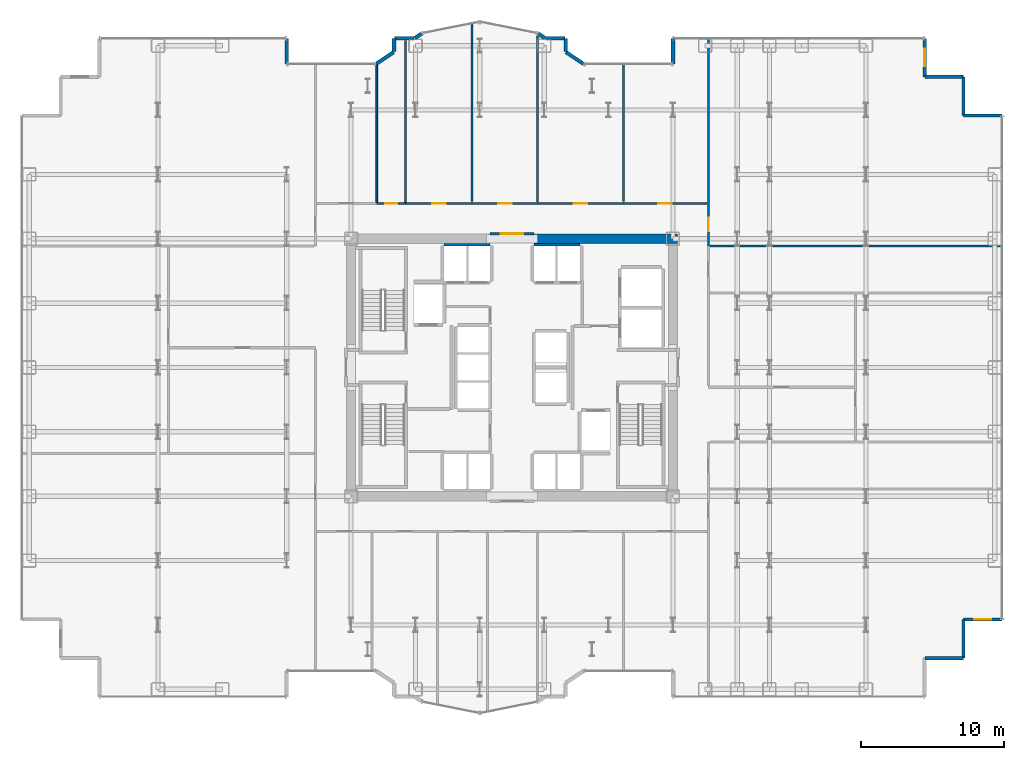
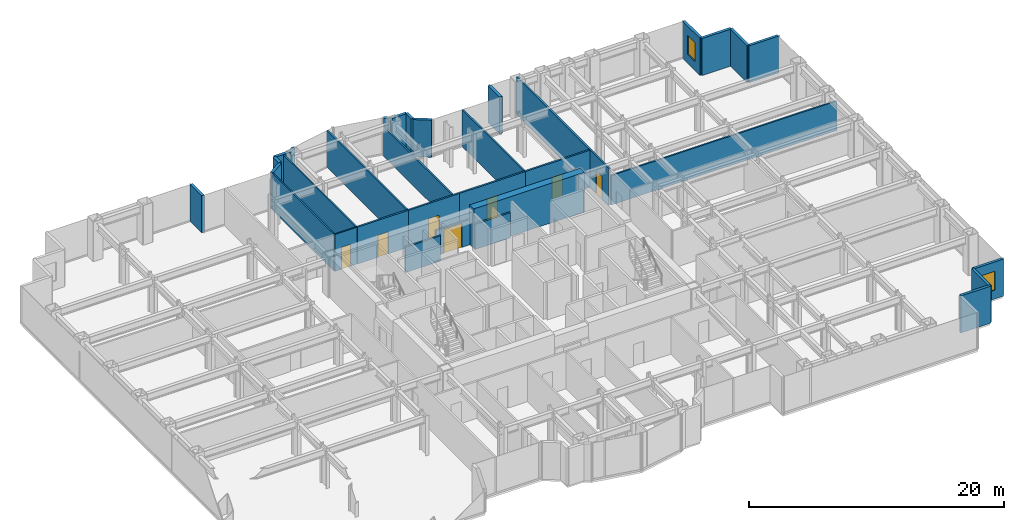
# One storey, part 24 of 26: 33 walls, 7 doors, 2 windows, 9 openings.
"""IFC4 building model written with IfcOpenShell, lengths in metres."""

from ifc_helpers import new_model, si_unit, direction, frame, frame_2d, origin, place, context, subcontext, project, spatial, rectangle, extrude, source, transform, mapped, material, layer, layer_set, type_object, element, fill, save


model = new_model("IFC4")

# Units and contexts
model_context = context("Model", 3, precision=1e-05, world=origin(), true_north=direction((0.0, 1.0)))
body_context = subcontext(model_context, "Body", "Model", "MODEL_VIEW")
ifc_project = project(units=[si_unit("LENGTHUNIT", "METRE"), si_unit("AREAUNIT", "SQUARE_METRE"), si_unit("VOLUMEUNIT", "CUBIC_METRE"), si_unit("PLANEANGLEUNIT", "RADIAN"), si_unit("MASSUNIT", "GRAM", prefix="KILO")], contexts=[model_context])

# Site, building, storey
site_placement = place(None, origin())
site = spatial("IfcSite", under=ifc_project, at=site_placement, CompositionType="ELEMENT")
building_placement = place(site_placement, origin())
building = spatial("IfcBuilding", under=site, at=building_placement, Name="Nefas-Gora Pilgrimage Tower", CompositionType="ELEMENT")
storey_placement = place(building_placement, frame((0.0, 0.0, 63.39990234375)))
storey = spatial("IfcBuildingStorey", under=building, at=storey_placement, Name="L14", CompositionType="ELEMENT", Elevation=63.39990234375)

# Walls
ifc_material_1 = material(Name="Concrete C60/75", Category="concrete")
ifc_layer_1 = layer(ifc_material_1, 0.64990234375)
ifc_layer_set_1 = layer_set([ifc_layer_1], Name="Concrete C60/75")
wall_type_1 = type_object("IfcWallType", Name="SW-CORE-650", PredefinedType="SHEAR", material=ifc_layer_set_1)
shared_shape_1 = source(origin(), body_context, "Body", "SweptSolid", [
    extrude(rectangle(XDim=10.02490234375, YDim=0.64990234375, at=frame_2d((5.012451171875, 0.0))), origin(), (0.0, 0.0, 1.0), 3.800048828125),
])
wall_1_placement = place(storey_placement, frame((1.550048828125, 9.0, 0.0), z_axis=(0.0, 0.0, 1.0), x_axis=(1.0, 0.0, 0.0)))
element("IfcWall", 1, at=wall_1_placement, inside=storey, type_object=wall_type_1, Name="L14 Core Shear Wall N-East", PredefinedType="SHEAR", context=body_context, shape_type="MappedRepresentation", body=[
    mapped(shared_shape_1, transform((0.0, 0.0, 0.0), x_axis=(1.0, 0.0, 0.0), y_axis=(0.0, 1.0, 0.0), z_axis=(0.0, 0.0, 1.0), scale=1.0)),
])
ifc_material_2 = material(Name="Precast concrete C40/50", Category="concrete")
ifc_layer_2 = layer(ifc_material_2, 0.260009765625)
ifc_layer_set_2 = layer_set([ifc_layer_2], Name="Precast concrete C40/50")
wall_type_2 = type_object("IfcWallType", Name="EW-PORTAL-260", PredefinedType="SOLIDWALL", material=ifc_layer_set_2)
shared_shape_2 = source(origin(), body_context, "Body", "SweptSolid", [
    extrude(rectangle(XDim=1.800048828125, YDim=0.260009765625, at=frame_2d((0.89990234375, 0.0))), origin(), (0.0, 0.0, 1.0), 3.550048828125),
])
for number, where, z_axis, x_axis, name in (
    (2, (11.25, 23.02001953125, 0.0), (0.0, 0.0, 1.0), (0.0, -1.0, 0.0), "L14 Lobe Shoulder Precast Spandrel Pier 10"),
    (3, (-15.75, 21.219970703125, 0.0), (0.0, 0.0, 1.0), (0.0, 1.0, 0.0), "L14 Lobe Shoulder Precast Spandrel Pier 19"),
):
    element("IfcWall", number, at=place(storey_placement, frame(where, z_axis=z_axis, x_axis=x_axis)), inside=storey, type_object=wall_type_2, Name=name, PredefinedType="SOLIDWALL", context=body_context, shape_type="MappedRepresentation", body=[
        mapped(shared_shape_2, transform((0.0, 0.0, 0.0), x_axis=(1.0, 0.0, 0.0), y_axis=(0.0, 1.0, 0.0), z_axis=(0.0, 0.0, 1.0), scale=1.0)),
    ])
ifc_material_3 = material(Name="Precast concrete C45/55", Category="concrete")
ifc_layer_3 = layer(ifc_material_3, 0.239990234375)
ifc_layer_set_3 = layer_set([ifc_layer_3], Name="Precast concrete C45/55")
wall_type_3 = type_object("IfcWallType", Name="EW-SERR-240", PredefinedType="SHEAR", material=ifc_layer_set_3)
shared_shape_3 = source(origin(), body_context, "Body", "SweptSolid", [
    extrude(rectangle(XDim=2.699951171875, YDim=0.239990234375, at=frame_2d((1.35009765625, 0.0))), origin(), (0.0, 0.0, 1.0), 3.550048828125),
])
for number, where, z_axis, x_axis, name in (
    (4, (28.8701171875, -20.320068359375, 0.0), (0.0, 0.0, 1.0), (1.0, 0.0, 0.0), "L14 Serrated Corner Shear Pier Wall 3"),
    (5, (31.570068359375, -20.320068359375, 0.0), (0.0, 0.0, 1.0), (0.0, 1.0, 0.0), "L14 Serrated Corner Shear Pier Wall 4"),
):
    element("IfcWall", number, at=place(storey_placement, frame(where, z_axis=z_axis, x_axis=x_axis)), inside=storey, type_object=wall_type_3, Name=name, PredefinedType="SHEAR", context=body_context, shape_type="MappedRepresentation", body=[
        mapped(shared_shape_3, transform((0.0, 0.0, 0.0), x_axis=(1.0, 0.0, 0.0), y_axis=(0.0, 1.0, 0.0), z_axis=(0.0, 0.0, 1.0), scale=1.0)),
    ])

# Wall, opening, window
wall_2_placement = place(storey_placement, frame((31.570068359375, -17.6201171875, 0.0), z_axis=(0.0, 0.0, 1.0), x_axis=(1.0, 0.0, 0.0)))
wall_2 = element("IfcWall", 6, at=wall_2_placement, inside=storey, type_object=wall_type_3, Name="L14 Serrated Corner Shear Pier Wall 5", PredefinedType="SHEAR", context=body_context, shape_type="MappedRepresentation", body=[
    mapped(shared_shape_3, transform((0.0, 0.0, 0.0), x_axis=(1.0, 0.0, 0.0), y_axis=(0.0, 1.0, 0.0), z_axis=(0.0, 0.0, 1.0), scale=1.0)),
])
opening_1_placement = place(wall_2_placement, frame((0.75, 0.0, 0.85009765625)))
opening_1 = element("IfcOpeningElement", 7, at=opening_1_placement, cuts=wall_2, Name="Opening W-V1", PredefinedType="OPENING", context=body_context, shape_type="SweptSolid", body=[
    extrude(rectangle(XDim=1.199951171875, YDim=1.800048828125, at=frame_2d((0.60009765625, 0.89990234375))), frame((0.0, 0.1298828125, 0.0), z_axis=(0.0, -1.0, 0.0), x_axis=(1.0, 0.0, 0.0)), (0.0, 0.0, 1.0), 0.260009765625),
])
ifc_material_4 = material(Name="Dark ceramic-fritted operable aluminium-glass window", Category="aluminium")
window_type = type_object("IfcWindowType", Name="WIN-VENT-1200x1800", PartitioningType="SINGLE_PANEL", PredefinedType="WINDOW", material=ifc_material_4)
shared_shape_4 = source(origin(), body_context, "Body", "SweptSolid", [
    extrude(rectangle(XDim=1.199951171875, YDim=1.800048828125, at=frame_2d((0.60009765625, 0.89990234375))), frame((0.0, 0.030029296875, 0.0), z_axis=(0.0, -1.0, 0.0), x_axis=(1.0, 0.0, 0.0)), (0.0, 0.0, 1.0), 0.06005859375),
])
window_1_placement = place(opening_1_placement, origin())
window_1 = element("IfcWindow", 8, at=window_1_placement, inside=storey, type_object=window_type, Name="L14 Operable Parallel-Outswing Window 5", OverallHeight=1.800048828125, OverallWidth=1.199951171875, PartitioningType="SINGLE_PANEL", PredefinedType="WINDOW", context=body_context, shape_type="MappedRepresentation", body=[
    mapped(shared_shape_4, transform((0.0, 0.0, 0.0), x_axis=(1.0, 0.0, 0.0), y_axis=(0.0, 1.0, 0.0), z_axis=(0.0, 0.0, 1.0), scale=1.0)),
])
fill(opening_1, window_1)

# Walls
for number, where, z_axis, x_axis, name in (
    (9, (34.27001953125, 17.6201171875, 0.0), (0.0, 0.0, 1.0), (-1.0, 0.0, 0.0), "L14 Serrated Corner Shear Pier Wall 6"),
    (10, (31.570068359375, 17.6201171875, 0.0), (0.0, 0.0, 1.0), (0.0, 1.0, 0.0), "L14 Serrated Corner Shear Pier Wall 7"),
    (11, (31.570068359375, 20.320068359375, 0.0), (0.0, 0.0, 1.0), (-1.0, 0.0, 0.0), "L14 Serrated Corner Shear Pier Wall 8"),
):
    element("IfcWall", number, at=place(storey_placement, frame(where, z_axis=z_axis, x_axis=x_axis)), inside=storey, type_object=wall_type_3, Name=name, PredefinedType="SHEAR", context=body_context, shape_type="MappedRepresentation", body=[
        mapped(shared_shape_3, transform((0.0, 0.0, 0.0), x_axis=(1.0, 0.0, 0.0), y_axis=(0.0, 1.0, 0.0), z_axis=(0.0, 0.0, 1.0), scale=1.0)),
    ])

# Wall, opening, window
wall_3_placement = place(storey_placement, frame((28.8701171875, 20.320068359375, 0.0), z_axis=(0.0, 0.0, 1.0), x_axis=(0.0, 1.0, 0.0)))
wall_3 = element("IfcWall", 12, at=wall_3_placement, inside=storey, type_object=wall_type_3, Name="L14 Serrated Corner Shear Pier Wall 9", PredefinedType="SHEAR", context=body_context, shape_type="MappedRepresentation", body=[
    mapped(shared_shape_3, transform((0.0, 0.0, 0.0), x_axis=(1.0, 0.0, 0.0), y_axis=(0.0, 1.0, 0.0), z_axis=(0.0, 0.0, 1.0), scale=1.0)),
])
opening_2_placement = place(wall_3_placement, frame((0.75, 0.0, 0.85009765625)))
opening_2 = element("IfcOpeningElement", 13, at=opening_2_placement, cuts=wall_3, Name="Opening W-V1", PredefinedType="OPENING", context=body_context, shape_type="SweptSolid", body=[
    extrude(rectangle(XDim=1.199951171875, YDim=1.800048828125, at=frame_2d((0.60009765625, 0.89990234375))), frame((0.0, 0.1298828125, 0.0), z_axis=(0.0, -1.0, 0.0), x_axis=(1.0, 0.0, 0.0)), (0.0, 0.0, 1.0), 0.260009765625),
])
window_2_placement = place(opening_2_placement, origin())
window_2 = element("IfcWindow", 14, at=window_2_placement, inside=storey, type_object=window_type, Name="L14 Operable Parallel-Outswing Window 9", OverallHeight=1.800048828125, OverallWidth=1.199951171875, PartitioningType="SINGLE_PANEL", PredefinedType="WINDOW", context=body_context, shape_type="MappedRepresentation", body=[
    mapped(shared_shape_4, transform((0.0, 0.0, 0.0), x_axis=(1.0, 0.0, 0.0), y_axis=(0.0, 1.0, 0.0), z_axis=(0.0, 0.0, 1.0), scale=1.0)),
])
fill(opening_2, window_2)

# Walls
shared_shape_5 = source(origin(), body_context, "Body", "SweptSolid", [
    extrude(rectangle(XDim=1.468994140625, YDim=0.260009765625, at=frame_2d((0.734375, 0.0))), origin(), (0.0, 0.0, 1.0), 3.550048828125),
])
for number, where, z_axis, x_axis, name in (
    (15, (4.99462890625, 21.235595703125, 0.0), (0.0, 0.0, 1.0), (-0.831461760506, 0.555581983884, 0.0), "L14 Lobe Shoulder Precast Spandrel Pier 11"),
    (16, (-8.273193359375, 22.0517578125, 0.0), (0.0, 0.0, 1.0), (-0.831461760506, -0.555581983884, 0.0), "L14 Lobe Shoulder Precast Spandrel Pier 18"),
):
    element("IfcWall", number, at=place(storey_placement, frame(where, z_axis=z_axis, x_axis=x_axis)), inside=storey, type_object=wall_type_2, Name=name, PredefinedType="SOLIDWALL", context=body_context, shape_type="MappedRepresentation", body=[
        mapped(shared_shape_5, transform((0.0, 0.0, 0.0), x_axis=(1.0, 0.0, 0.0), y_axis=(0.0, 1.0, 0.0), z_axis=(0.0, 0.0, 1.0), scale=1.0)),
    ])
shared_shape_6 = source(origin(), body_context, "Body", "SweptSolid", [
    extrude(rectangle(XDim=0.896728515625, YDim=0.260009765625, at=frame_2d((0.4482421875, 0.0))), origin(), (0.0, 0.0, 1.0), 3.550048828125),
])
for number, where, z_axis, x_axis, name in (
    (17, (3.75, 22.09521484375, 0.0), (0.0, 0.0, 1.0), (0.0, 1.0, 0.0), "L14 Lobe Shoulder Precast Spandrel Pier 12"),
    (18, (-8.25, 22.991943359375, 0.0), (0.0, 0.0, 1.0), (0.0, -1.0, 0.0), "L14 Lobe Shoulder Precast Spandrel Pier 17"),
):
    element("IfcWall", number, at=place(storey_placement, frame(where, z_axis=z_axis, x_axis=x_axis)), inside=storey, type_object=wall_type_2, Name=name, PredefinedType="SOLIDWALL", context=body_context, shape_type="MappedRepresentation", body=[
        mapped(shared_shape_6, transform((0.0, 0.0, 0.0), x_axis=(1.0, 0.0, 0.0), y_axis=(0.0, 1.0, 0.0), z_axis=(0.0, 0.0, 1.0), scale=1.0)),
    ])
shared_shape_7 = source(origin(), body_context, "Body", "SweptSolid", [
    extrude(rectangle(XDim=1.369873046875, YDim=0.260009765625, at=frame_2d((0.68505859375, 0.0))), origin(), (0.0, 0.0, 1.0), 3.550048828125),
])
for number, where, z_axis, x_axis, name in (
    (19, (3.721923828125, 23.02001953125, 0.0), (0.0, 0.0, 1.0), (-1.0, 0.0, 0.0), "L14 Lobe Shoulder Precast Spandrel Pier 13"),
    (20, (-6.85205078125, 23.02001953125, 0.0), (0.0, 0.0, 1.0), (-1.0, 0.0, 0.0), "L14 Lobe Shoulder Precast Spandrel Pier 16"),
):
    element("IfcWall", number, at=place(storey_placement, frame(where, z_axis=z_axis, x_axis=x_axis)), inside=storey, type_object=wall_type_2, Name=name, PredefinedType="SOLIDWALL", context=body_context, shape_type="MappedRepresentation", body=[
        mapped(shared_shape_7, transform((0.0, 0.0, 0.0), x_axis=(1.0, 0.0, 0.0), y_axis=(0.0, 1.0, 0.0), z_axis=(0.0, 0.0, 1.0), scale=1.0)),
    ])
shared_shape_8 = source(origin(), body_context, "Body", "SweptSolid", [
    extrude(rectangle(XDim=0.5654296875, YDim=0.260009765625, at=frame_2d((0.28271484375, 0.0))), origin(), (0.0, 0.0, 1.0), 3.550048828125),
])
for number, where, z_axis, x_axis, name in (
    (21, (2.30078125, 23.03564453125, 0.0), (0.0, 0.0, 1.0), (-0.831651492666, 0.555297933317, 0.0), "L14 Lobe Shoulder Precast Spandrel Pier 14"),
    (22, (-6.33056640625, 23.349609375, 0.0), (0.0, 0.0, 1.0), (-0.831651492666, -0.555297933317, 0.0), "L14 Lobe Shoulder Precast Spandrel Pier 15"),
):
    element("IfcWall", number, at=place(storey_placement, frame(where, z_axis=z_axis, x_axis=x_axis)), inside=storey, type_object=wall_type_2, Name=name, PredefinedType="SOLIDWALL", context=body_context, shape_type="MappedRepresentation", body=[
        mapped(shared_shape_8, transform((0.0, 0.0, 0.0), x_axis=(1.0, 0.0, 0.0), y_axis=(0.0, 1.0, 0.0), z_axis=(0.0, 0.0, 1.0), scale=1.0)),
    ])
ifc_material_5 = material(Name="Gypsum acoustic stud partition")
ifc_layer_4 = layer(ifc_material_5, 0.159912109375)
ifc_layer_set_4 = layer_set([ifc_layer_4], Name="Gypsum acoustic stud partition")
wall_type_4 = type_object("IfcWallType", Name="IW-CORR-160", PredefinedType="PARTITIONING", material=ifc_layer_set_4)
shared_shape_9 = source(origin(), body_context, "Body", "SweptSolid", [
    extrude(rectangle(XDim=3.199951171875, YDim=0.159912109375, at=frame_2d((1.60009765625, 0.0))), origin(), (0.0, 0.0, 1.0), 2.425048828125),
])
for number, where, z_axis, x_axis, name in (
    (23, (-1.550048828125, 8.580078125, 0.0), (0.0, 0.0, 1.0), (-1.0, 0.0, 0.0), "L14 Hoistway Wall PL1-W-N"),
    (24, (4.75, 8.580078125, 0.0), (0.0, 0.0, 1.0), (-1.0, 0.0, 0.0), "L14 Hoistway Wall PL1-E-N"),
):
    element("IfcWall", number, at=place(storey_placement, frame(where, z_axis=z_axis, x_axis=x_axis)), inside=storey, type_object=wall_type_4, Name=name, PredefinedType="PARTITIONING", context=body_context, shape_type="MappedRepresentation", body=[
        mapped(shared_shape_9, transform((0.0, 0.0, 0.0), x_axis=(1.0, 0.0, 0.0), y_axis=(0.0, 1.0, 0.0), z_axis=(0.0, 0.0, 1.0), scale=1.0)),
    ])

# Wall, opening, door
shared_shape_10 = source(origin(), body_context, "Body", "SweptSolid", [
    extrude(rectangle(XDim=3.08984375, YDim=0.159912109375, at=frame_2d((1.544921875, 0.0))), origin(), (0.0, 0.0, 1.0), 2.425048828125),
])
wall_4_placement = place(storey_placement, frame((-1.544921875, 9.35009765625, 0.0), z_axis=(0.0, 0.0, 1.0), x_axis=(1.0, 0.0, 0.0)))
wall_4 = element("IfcWall", 25, at=wall_4_placement, inside=storey, type_object=wall_type_4, Name="L14 Central Lift Lobby North Portal Wall 13", PredefinedType="PARTITIONING", context=body_context, shape_type="MappedRepresentation", body=[
    mapped(shared_shape_10, transform((0.0, 0.0, 0.0), x_axis=(1.0, 0.0, 0.0), y_axis=(0.0, 1.0, 0.0), z_axis=(0.0, 0.0, 1.0), scale=1.0)),
])
opening_3_placement = place(wall_4_placement, frame((0.7451171875, 0.0, 0.0)))
opening_3 = element("IfcOpeningElement", 26, at=opening_3_placement, cuts=wall_4, Name="Opening ID-HL1", PredefinedType="OPENING", context=body_context, shape_type="SweptSolid", body=[
    extrude(rectangle(XDim=1.60009765625, YDim=2.300048828125, at=frame_2d((0.800048828125, 1.14990234375))), frame((0.0, 0.08984375, 0.0), z_axis=(0.0, -1.0, 0.0), x_axis=(1.0, 0.0, 0.0)), (0.0, 0.0, 1.0), 0.179931640625),
])
ifc_material_6 = material(Name="Double acoustic timber assembly hall door", Category="wood")
door_type_1 = type_object("IfcDoorType", Name="DR-INT-HALL-1600", OperationType="DOUBLE_DOOR_SINGLE_SWING", PredefinedType="DOOR", material=ifc_material_6)
shared_shape_11 = source(origin(), body_context, "Body", "SweptSolid", [
    extrude(rectangle(XDim=1.60009765625, YDim=2.300048828125, at=frame_2d((0.800048828125, 1.14990234375))), frame((0.0, 0.02490234375, 0.0), z_axis=(0.0, -1.0, 0.0), x_axis=(1.0, 0.0, 0.0)), (0.0, 0.0, 1.0), 0.050048828125),
])
door_1_placement = place(opening_3_placement, origin())
door_1 = element("IfcDoor", 27, at=door_1_placement, inside=storey, type_object=door_type_1, Name="L14 Central Lift Lobby North Portal Door 4", OperationType="DOUBLE_DOOR_SINGLE_SWING", OverallHeight=2.300048828125, OverallWidth=1.60009765625, PredefinedType="DOOR", context=body_context, shape_type="MappedRepresentation", body=[
    mapped(shared_shape_11, transform((0.0, 0.0, 0.0), x_axis=(1.0, 0.0, 0.0), y_axis=(0.0, 1.0, 0.0), z_axis=(0.0, 0.0, 1.0), scale=1.0)),
])
fill(opening_3, door_1)

ifc_material_7 = material(Name="Moisture-resistant fire-rated gypsum partition")
ifc_layer_5 = layer(ifc_material_7, 0.1201171875)
ifc_layer_set_5 = layer_set([ifc_layer_5], Name="Moisture-resistant fire-rated gypsum partition")
wall_type_5 = type_object("IfcWallType", Name="IW-WET-120", PredefinedType="PLUMBINGWALL", material=ifc_layer_set_5)
shared_shape_12 = source(origin(), body_context, "Body", "SweptSolid", [
    extrude(rectangle(XDim=2.02001953125, YDim=0.1201171875, at=frame_2d((1.010009765625, 0.0))), origin(), (0.0, 0.0, 1.0), 3.53515625),
])
wall_5_placement = place(storey_placement, frame((-9.4599609375, 11.469970703125, 0.0), z_axis=(0.0, 0.0, 1.0), x_axis=(1.0, 0.0, 0.0)))
wall_5 = element("IfcWall", 28, at=wall_5_placement, inside=storey, type_object=wall_type_5, Name="L14 Accessible Unisex WC Partition Wall 20", PredefinedType="PLUMBINGWALL", context=body_context, shape_type="MappedRepresentation", body=[
    mapped(shared_shape_12, transform((0.0, 0.0, 0.0), x_axis=(1.0, 0.0, 0.0), y_axis=(0.0, 1.0, 0.0), z_axis=(0.0, 0.0, 1.0), scale=1.0)),
])
opening_4_placement = place(wall_5_placement, frame((0.5849609375, 0.0, 0.0)))
opening_4 = element("IfcOpeningElement", 29, at=opening_4_placement, cuts=wall_5, Name="Opening ID-BT1", PredefinedType="OPENING", context=body_context, shape_type="SweptSolid", body=[
    extrude(rectangle(XDim=0.85009765625, YDim=2.10009765625, at=frame_2d((0.425048828125, 1.050048828125))), frame((0.0, 0.070068359375, 0.0), z_axis=(0.0, -1.0, 0.0), x_axis=(1.0, 0.0, 0.0)), (0.0, 0.0, 1.0), 0.14013671875),
])
ifc_material_8 = material(Name="Moisture-resistant fire-rated timber door", Category="wood")
door_type_2 = type_object("IfcDoorType", Name="DR-INT-BATH-850", OperationType="NOTDEFINED", PredefinedType="DOOR", material=ifc_material_8)
shared_shape_13 = source(origin(), body_context, "Body", "SweptSolid", [
    extrude(rectangle(XDim=0.85009765625, YDim=2.10009765625, at=frame_2d((0.425048828125, 1.050048828125))), frame((0.0, 0.02490234375, 0.0), z_axis=(0.0, -1.0, 0.0), x_axis=(1.0, 0.0, 0.0)), (0.0, 0.0, 1.0), 0.050048828125),
])
door_2_placement = place(opening_4_placement, origin())
door_2 = element("IfcDoor", 30, at=door_2_placement, inside=storey, type_object=door_type_2, Name="L14 Accessible Unisex WC Door 8", OperationType="SINGLE_SWING_LEFT", OverallHeight=2.10009765625, OverallWidth=0.85009765625, PredefinedType="DOOR", context=body_context, shape_type="MappedRepresentation", body=[
    mapped(shared_shape_13, transform((0.0, 0.0, 0.0), x_axis=(1.0, 0.0, 0.0), y_axis=(0.0, 1.0, 0.0), z_axis=(0.0, 0.0, 1.0), scale=1.0)),
])
fill(opening_4, door_2)

# Walls
shared_shape_14 = source(origin(), body_context, "Body", "SweptSolid", [
    extrude(rectangle(XDim=11.280029296875, YDim=0.1201171875, at=frame_2d((5.64013671875, 0.0))), origin(), (0.0, 0.0, 1.0), 3.53515625),
])
wall_6_placement = place(storey_placement, frame((-7.449951171875, 11.570068359375, 0.0), z_axis=(0.0, 0.0, 1.0), x_axis=(0.0, 1.0, 0.0)))
element("IfcWall", 31, at=wall_6_placement, inside=storey, type_object=wall_type_5, Name="L14 Accessible Unisex WC Partition Wall 21", PredefinedType="PLUMBINGWALL", context=body_context, shape_type="MappedRepresentation", body=[
    mapped(shared_shape_14, transform((0.0, 0.0, 0.0), x_axis=(1.0, 0.0, 0.0), y_axis=(0.0, 1.0, 0.0), z_axis=(0.0, 0.0, 1.0), scale=1.0)),
])
shared_shape_15 = source(origin(), body_context, "Body", "SweptSolid", [
    extrude(rectangle(XDim=9.586669921875, YDim=0.1201171875, at=frame_2d((4.79345703125, 0.0))), origin(), (0.0, 0.0, 1.0), 3.53515625),
])
wall_7_placement = place(storey_placement, frame((-9.449951171875, 11.570068359375, 0.0), z_axis=(0.0, 0.0, 1.0), x_axis=(0.0, 1.0, 0.0)))
element("IfcWall", 32, at=wall_7_placement, inside=storey, type_object=wall_type_5, Name="L14 Accessible Unisex WC Partition Wall 22", PredefinedType="PLUMBINGWALL", context=body_context, shape_type="MappedRepresentation", body=[
    mapped(shared_shape_15, transform((0.0, 0.0, 0.0), x_axis=(1.0, 0.0, 0.0), y_axis=(0.0, 1.0, 0.0), z_axis=(0.0, 0.0, 1.0), scale=1.0)),
])
ifc_material_9 = material(Name="Gypsum twin-stud partition")
ifc_layer_6 = layer(ifc_material_9, 0.139892578125)
ifc_layer_set_6 = layer_set([ifc_layer_6], Name="Gypsum twin-stud partition")
wall_type_6 = type_object("IfcWallType", Name="IW-UNIT-140", PredefinedType="PARTITIONING", material=ifc_layer_set_6)
shared_shape_16 = source(origin(), body_context, "Body", "SweptSolid", [
    extrude(rectangle(XDim=9.64990234375, YDim=0.139892578125, at=frame_2d((4.824951171875, 0.0))), origin(), (0.0, 0.0, 1.0), 3.53515625),
])
wall_8_placement = place(storey_placement, frame((7.794921875, 11.590087890625, 0.0), z_axis=(0.0, 0.0, 1.0), x_axis=(0.0, 1.0, 0.0)))
element("IfcWall", 33, at=wall_8_placement, inside=storey, type_object=wall_type_6, Name="L14 Pilgrim Contemplative Lounge Partition Wall 47", PredefinedType="PARTITIONING", context=body_context, shape_type="MappedRepresentation", body=[
    mapped(shared_shape_16, transform((0.0, 0.0, 0.0), x_axis=(1.0, 0.0, 0.0), y_axis=(0.0, 1.0, 0.0), z_axis=(0.0, 0.0, 1.0), scale=1.0)),
])
shared_shape_17 = source(origin(), body_context, "Body", "SweptSolid", [
    extrude(rectangle(XDim=20.429931640625, YDim=0.139892578125, at=frame_2d((10.21484375, 0.0))), origin(), (0.0, 0.0, 1.0), 2.8251953125),
])
wall_9_placement = place(storey_placement, frame((13.860107421875, 8.4951171875, 0.0), z_axis=(0.0, 0.0, 1.0), x_axis=(1.0, 0.0, 0.0)))
element("IfcWall", 34, at=wall_9_placement, inside=storey, type_object=wall_type_6, Name="L14 Pilgrim Contemplative Lounge Partition Wall 39", PredefinedType="PARTITIONING", context=body_context, shape_type="MappedRepresentation", body=[
    mapped(shared_shape_17, transform((0.0, 0.0, 0.0), x_axis=(1.0, 0.0, 0.0), y_axis=(0.0, 1.0, 0.0), z_axis=(0.0, 0.0, 1.0), scale=1.0)),
])

# Wall, opening, door
shared_shape_18 = source(origin(), body_context, "Body", "SweptSolid", [
    extrude(rectangle(XDim=14.544921875, YDim=0.159912109375, at=frame_2d((7.2724609375, 0.0))), origin(), (0.0, 0.0, 1.0), 3.53515625),
])
wall_10_placement = place(storey_placement, frame((13.739990234375, 8.4951171875, 0.0), z_axis=(0.0, 0.0, 1.0), x_axis=(0.0, 1.0, 0.0)))
wall_10 = element("IfcWall", 35, at=wall_10_placement, inside=storey, type_object=wall_type_4, Name="L14 Pilgrim Contemplative Lounge Partition Wall 40", PredefinedType="PARTITIONING", context=body_context, shape_type="MappedRepresentation", body=[
    mapped(shared_shape_18, transform((0.0, 0.0, 0.0), x_axis=(1.0, 0.0, 0.0), y_axis=(0.0, 1.0, 0.0), z_axis=(0.0, 0.0, 1.0), scale=1.0)),
])
opening_5_placement = place(wall_10_placement, frame((1.032470703125, 0.0, 0.0)))
opening_5 = element("IfcOpeningElement", 36, at=opening_5_placement, cuts=wall_10, Name="Opening ID-GR1", PredefinedType="OPENING", context=body_context, shape_type="SweptSolid", body=[
    extrude(rectangle(XDim=0.949951171875, YDim=2.10009765625, at=frame_2d((0.47509765625, 1.050048828125))), frame((0.0, 0.08984375, 0.0), z_axis=(0.0, -1.0, 0.0), x_axis=(1.0, 0.0, 0.0)), (0.0, 0.0, 1.0), 0.179931640625),
])
ifc_material_10 = material(Name="Solid core oak fire-rated guest entrance door")
door_type_3 = type_object("IfcDoorType", Name="DR-INT-GUEST-950", OperationType="NOTDEFINED", PredefinedType="DOOR", material=ifc_material_10)
shared_shape_19 = source(origin(), body_context, "Body", "SweptSolid", [
    extrude(rectangle(XDim=0.949951171875, YDim=2.10009765625, at=frame_2d((0.47509765625, 1.050048828125))), frame((0.0, 0.02490234375, 0.0), z_axis=(0.0, -1.0, 0.0), x_axis=(1.0, 0.0, 0.0)), (0.0, 0.0, 1.0), 0.050048828125),
])
door_3_placement = place(opening_5_placement, origin())
door_3 = element("IfcDoor", 37, at=door_3_placement, inside=storey, type_object=door_type_3, Name="L14 Pilgrim Contemplative Lounge Door 18", OperationType="SINGLE_SWING_LEFT", OverallHeight=2.10009765625, OverallWidth=0.949951171875, PredefinedType="DOOR", context=body_context, shape_type="MappedRepresentation", body=[
    mapped(shared_shape_19, transform((0.0, 0.0, 0.0), x_axis=(1.0, 0.0, 0.0), y_axis=(0.0, 1.0, 0.0), z_axis=(0.0, 0.0, 1.0), scale=1.0)),
])
fill(opening_5, door_3)

shared_shape_20 = source(origin(), body_context, "Body", "SweptSolid", [
    extrude(rectangle(XDim=4.60498046875, YDim=0.159912109375, at=frame_2d((2.302490234375, 0.0))), origin(), (0.0, 0.0, 1.0), 3.53515625),
])
wall_11_placement = place(storey_placement, frame((-7.405029296875, 11.469970703125, 0.0), z_axis=(0.0, 0.0, 1.0), x_axis=(1.0, 0.0, 0.0)))
wall_11 = element("IfcWall", 38, at=wall_11_placement, inside=storey, type_object=wall_type_4, Name="L14 Pilgrim Contemplative Lounge Partition Wall 42", PredefinedType="PARTITIONING", context=body_context, shape_type="MappedRepresentation", body=[
    mapped(shared_shape_20, transform((0.0, 0.0, 0.0), x_axis=(1.0, 0.0, 0.0), y_axis=(0.0, 1.0, 0.0), z_axis=(0.0, 0.0, 1.0), scale=1.0)),
])
opening_6_placement = place(wall_11_placement, frame((1.827392578125, 0.0, 0.0)))
opening_6 = element("IfcOpeningElement", 39, at=opening_6_placement, cuts=wall_11, Name="Opening ID-GR1", PredefinedType="OPENING", context=body_context, shape_type="SweptSolid", body=[
    extrude(rectangle(XDim=0.949951171875, YDim=2.10009765625, at=frame_2d((0.47509765625, 1.050048828125))), frame((0.0, 0.08984375, 0.0), z_axis=(0.0, -1.0, 0.0), x_axis=(1.0, 0.0, 0.0)), (0.0, 0.0, 1.0), 0.179931640625),
])
door_4_placement = place(opening_6_placement, origin())
door_4 = element("IfcDoor", 40, at=door_4_placement, inside=storey, type_object=door_type_3, Name="L14 Pilgrim Contemplative Lounge Door 20", OperationType="SINGLE_SWING_LEFT", OverallHeight=2.10009765625, OverallWidth=0.949951171875, PredefinedType="DOOR", context=body_context, shape_type="MappedRepresentation", body=[
    mapped(shared_shape_19, transform((0.0, 0.0, 0.0), x_axis=(1.0, 0.0, 0.0), y_axis=(0.0, 1.0, 0.0), z_axis=(0.0, 0.0, 1.0), scale=1.0)),
])
fill(opening_6, door_4)

wall_12_placement = place(storey_placement, frame((-2.800048828125, 11.469970703125, 0.0), z_axis=(0.0, 0.0, 1.0), x_axis=(1.0, 0.0, 0.0)))
wall_12 = element("IfcWall", 41, at=wall_12_placement, inside=storey, type_object=wall_type_4, Name="L14 Pilgrim Contemplative Lounge Partition Wall 44", PredefinedType="PARTITIONING", context=body_context, shape_type="MappedRepresentation", body=[
    mapped(shared_shape_20, transform((0.0, 0.0, 0.0), x_axis=(1.0, 0.0, 0.0), y_axis=(0.0, 1.0, 0.0), z_axis=(0.0, 0.0, 1.0), scale=1.0)),
])
opening_7_placement = place(wall_12_placement, frame((1.827392578125, 0.0, 0.0)))
opening_7 = element("IfcOpeningElement", 42, at=opening_7_placement, cuts=wall_12, Name="Opening ID-GR1", PredefinedType="OPENING", context=body_context, shape_type="SweptSolid", body=[
    extrude(rectangle(XDim=0.949951171875, YDim=2.10009765625, at=frame_2d((0.47509765625, 1.050048828125))), frame((0.0, 0.08984375, 0.0), z_axis=(0.0, -1.0, 0.0), x_axis=(1.0, 0.0, 0.0)), (0.0, 0.0, 1.0), 0.179931640625),
])
door_5_placement = place(opening_7_placement, origin())
door_5 = element("IfcDoor", 43, at=door_5_placement, inside=storey, type_object=door_type_3, Name="L14 Pilgrim Contemplative Lounge Door 21", OperationType="SINGLE_SWING_RIGHT", OverallHeight=2.10009765625, OverallWidth=0.949951171875, PredefinedType="DOOR", context=body_context, shape_type="MappedRepresentation", body=[
    mapped(shared_shape_19, transform((0.0, 0.0, 0.0), x_axis=(1.0, 0.0, 0.0), y_axis=(0.0, 1.0, 0.0), z_axis=(0.0, 0.0, 1.0), scale=1.0)),
])
fill(opening_7, door_5)

# Walls
shared_shape_21 = source(origin(), body_context, "Body", "SweptSolid", [
    extrude(rectangle(XDim=12.4951171875, YDim=0.139892578125, at=frame_2d((6.24755859375, 0.0))), origin(), (0.0, 0.0, 1.0), 3.53515625),
])
wall_13_placement = place(storey_placement, frame((-2.81005859375, 11.590087890625, 0.0), z_axis=(0.0, 0.0, 1.0), x_axis=(0.0, 1.0, 0.0)))
element("IfcWall", 44, at=wall_13_placement, inside=storey, type_object=wall_type_6, Name="L14 Pilgrim Contemplative Lounge Partition Wall 43", PredefinedType="PARTITIONING", context=body_context, shape_type="MappedRepresentation", body=[
    mapped(shared_shape_21, transform((0.0, 0.0, 0.0), x_axis=(1.0, 0.0, 0.0), y_axis=(0.0, 1.0, 0.0), z_axis=(0.0, 0.0, 1.0), scale=1.0)),
])
shared_shape_22 = source(origin(), body_context, "Body", "SweptSolid", [
    extrude(rectangle(XDim=11.581298828125, YDim=0.139892578125, at=frame_2d((5.79052734375, 0.0))), origin(), (0.0, 0.0, 1.0), 2.8251953125),
])
wall_14_placement = place(storey_placement, frame((1.794921875, 11.590087890625, 0.0), z_axis=(0.0, 0.0, 1.0), x_axis=(0.0, 1.0, 0.0)))
element("IfcWall", 45, at=wall_14_placement, inside=storey, type_object=wall_type_6, Name="L14 Pilgrim Contemplative Lounge Partition Wall 45", PredefinedType="PARTITIONING", context=body_context, shape_type="MappedRepresentation", body=[
    mapped(shared_shape_22, transform((0.0, 0.0, 0.0), x_axis=(1.0, 0.0, 0.0), y_axis=(0.0, 1.0, 0.0), z_axis=(0.0, 0.0, 1.0), scale=1.0)),
])

# Wall, opening, door
shared_shape_23 = source(origin(), body_context, "Body", "SweptSolid", [
    extrude(rectangle(XDim=6.010009765625, YDim=0.159912109375, at=frame_2d((3.0048828125, 0.0))), origin(), (0.0, 0.0, 1.0), 3.53515625),
])
wall_15_placement = place(storey_placement, frame((1.794921875, 11.469970703125, 0.0), z_axis=(0.0, 0.0, 1.0), x_axis=(1.0, 0.0, 0.0)))
wall_15 = element("IfcWall", 46, at=wall_15_placement, inside=storey, type_object=wall_type_4, Name="L14 Pilgrim Contemplative Lounge Partition Wall 46", PredefinedType="PARTITIONING", context=body_context, shape_type="MappedRepresentation", body=[
    mapped(shared_shape_23, transform((0.0, 0.0, 0.0), x_axis=(1.0, 0.0, 0.0), y_axis=(0.0, 1.0, 0.0), z_axis=(0.0, 0.0, 1.0), scale=1.0)),
])
opening_8_placement = place(wall_15_placement, frame((2.530029296875, 0.0, 0.0)))
opening_8 = element("IfcOpeningElement", 47, at=opening_8_placement, cuts=wall_15, Name="Opening ID-GR1", PredefinedType="OPENING", context=body_context, shape_type="SweptSolid", body=[
    extrude(rectangle(XDim=0.949951171875, YDim=2.10009765625, at=frame_2d((0.47509765625, 1.050048828125))), frame((0.0, 0.08984375, 0.0), z_axis=(0.0, -1.0, 0.0), x_axis=(1.0, 0.0, 0.0)), (0.0, 0.0, 1.0), 0.179931640625),
])
door_6_placement = place(opening_8_placement, origin())
door_6 = element("IfcDoor", 48, at=door_6_placement, inside=storey, type_object=door_type_3, Name="L14 Pilgrim Contemplative Lounge Door 22", OperationType="SINGLE_SWING_LEFT", OverallHeight=2.10009765625, OverallWidth=0.949951171875, PredefinedType="DOOR", context=body_context, shape_type="MappedRepresentation", body=[
    mapped(shared_shape_19, transform((0.0, 0.0, 0.0), x_axis=(1.0, 0.0, 0.0), y_axis=(0.0, 1.0, 0.0), z_axis=(0.0, 0.0, 1.0), scale=1.0)),
])
fill(opening_8, door_6)

shared_shape_24 = source(origin(), body_context, "Body", "SweptSolid", [
    extrude(rectangle(XDim=5.8251953125, YDim=0.159912109375, at=frame_2d((2.91259765625, 0.0))), origin(), (0.0, 0.0, 1.0), 3.53515625),
])
wall_16_placement = place(storey_placement, frame((7.794921875, 11.469970703125, 0.0), z_axis=(0.0, 0.0, 1.0), x_axis=(1.0, 0.0, 0.0)))
wall_16 = element("IfcWall", 49, at=wall_16_placement, inside=storey, type_object=wall_type_4, Name="L14 Pilgrim Contemplative Lounge Partition Wall 48", PredefinedType="PARTITIONING", context=body_context, shape_type="MappedRepresentation", body=[
    mapped(shared_shape_24, transform((0.0, 0.0, 0.0), x_axis=(1.0, 0.0, 0.0), y_axis=(0.0, 1.0, 0.0), z_axis=(0.0, 0.0, 1.0), scale=1.0)),
])
opening_9_placement = place(wall_16_placement, frame((2.4375, 0.0, 0.0)))
opening_9 = element("IfcOpeningElement", 50, at=opening_9_placement, cuts=wall_16, Name="Opening ID-GR1", PredefinedType="OPENING", context=body_context, shape_type="SweptSolid", body=[
    extrude(rectangle(XDim=0.949951171875, YDim=2.10009765625, at=frame_2d((0.47509765625, 1.050048828125))), frame((0.0, 0.08984375, 0.0), z_axis=(0.0, -1.0, 0.0), x_axis=(1.0, 0.0, 0.0)), (0.0, 0.0, 1.0), 0.179931640625),
])
door_7_placement = place(opening_9_placement, origin())
door_7 = element("IfcDoor", 51, at=door_7_placement, inside=storey, type_object=door_type_3, Name="L14 Pilgrim Contemplative Lounge Door 23", OperationType="SINGLE_SWING_RIGHT", OverallHeight=2.10009765625, OverallWidth=0.949951171875, PredefinedType="DOOR", context=body_context, shape_type="MappedRepresentation", body=[
    mapped(shared_shape_19, transform((0.0, 0.0, 0.0), x_axis=(1.0, 0.0, 0.0), y_axis=(0.0, 1.0, 0.0), z_axis=(0.0, 0.0, 1.0), scale=1.0)),
])
fill(opening_9, door_7)

save(model, "model.ifc")
